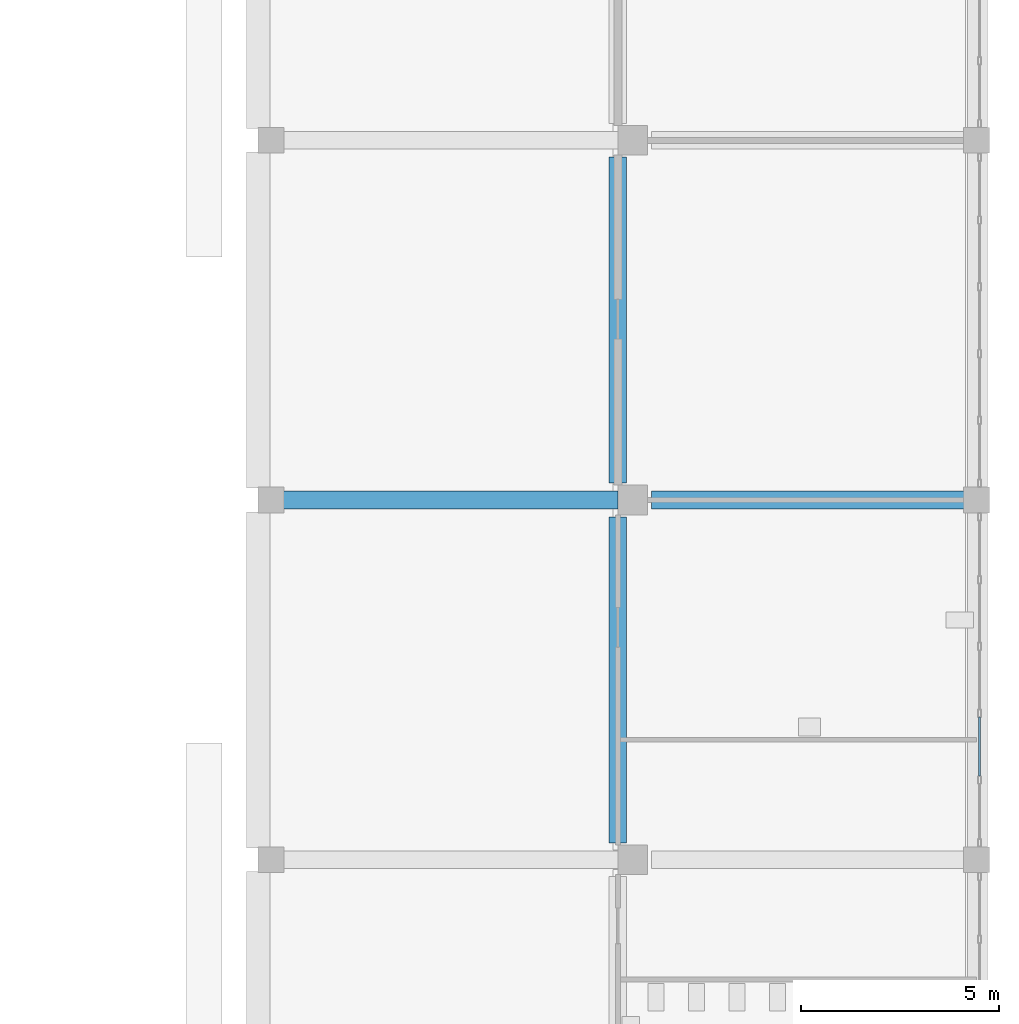
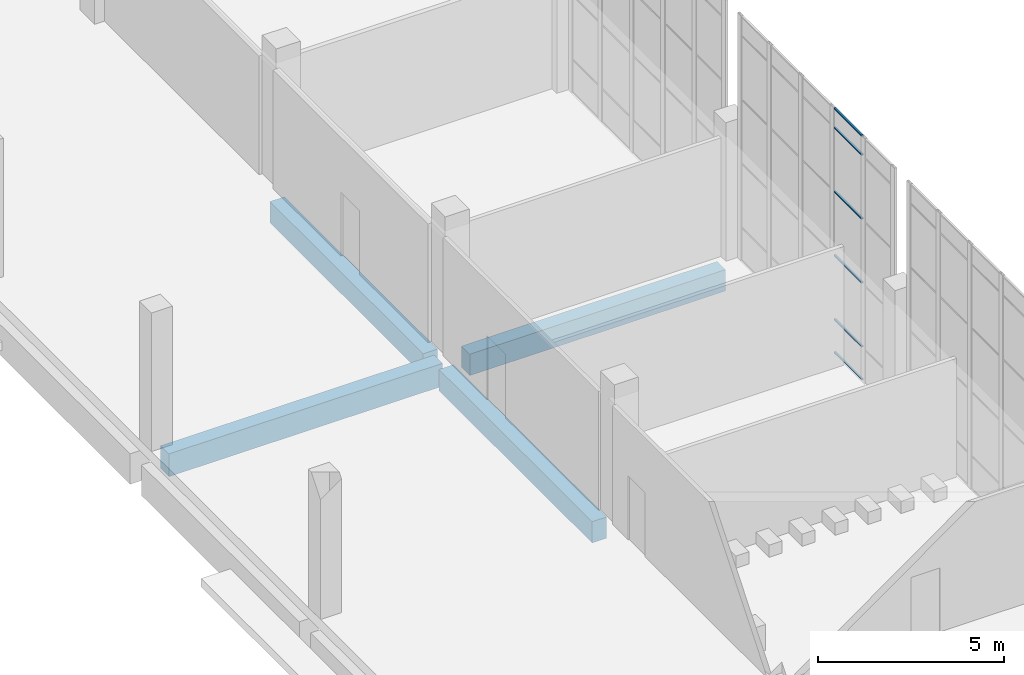
# One storey, part 53 of 126: 6 members, 4 beams, 1 element without a shape of its own.
"""IFC4 building model written with IfcOpenShell, lengths in metres."""

from ifc_helpers import new_model, si_unit, direction, frame, origin, origin_2d, place, context, subcontext, project, spatial, rectangle, hollow_rectangle, extrude, material, layer, layer_set, material_profile, profile_set, type_object, element, aggregate, save


model = new_model("IFC4")

# Units and contexts
model_context = context("Model", 3, precision=1e-05, world=origin(), true_north=direction((0.0, 1.0)))
body_context = subcontext(model_context, "Body", "Model", "MODEL_VIEW")
ifc_project = project(units=[si_unit("LENGTHUNIT", "METRE"), si_unit("AREAUNIT", "SQUARE_METRE"), si_unit("VOLUMEUNIT", "CUBIC_METRE"), si_unit("PLANEANGLEUNIT", "RADIAN"), si_unit("MASSUNIT", "GRAM", prefix="KILO")], contexts=[model_context])

# Site, building, storey
site_placement = place(None, origin())
site = spatial("IfcSite", under=ifc_project, at=site_placement, CompositionType="ELEMENT")
building_placement = place(site_placement, origin())
building = spatial("IfcBuilding", under=site, at=building_placement, Name="Shirokan Park Arena", CompositionType="ELEMENT")
storey_placement = place(building_placement, frame((0.0, 0.0, 6.3701171875)))
storey = spatial("IfcBuildingStorey", under=building, at=storey_placement, Name="L01", CompositionType="ELEMENT", Elevation=6.3701171875)

# Beams
ifc_material_1 = material(Name="Concrete C35", Category="concrete")
ifc_material_profile_1 = material_profile(ifc_material_1, rectangle(XDim=0.449951171875, YDim=0.699951171875, at=origin_2d()), Name="450x700")
ifc_profile_set_1 = profile_set([ifc_material_profile_1], Name="Concrete C35")
beam_type_1 = type_object("IfcBeamType", Name="RC girder 450x700", PredefinedType="BEAM", material=ifc_profile_set_1)
beam_1_placement = place(storey_placement, frame((137.35009765625, 54.60009765625, -0.7001953125), z_axis=(1.0, 0.0, 0.0), x_axis=(0.0, 1.0, 0.0)))
element("IfcBeam", 1, at=beam_1_placement, inside=storey, type_object=beam_type_1, Name="Girder 16G-17G L01", PredefinedType="BEAM", context=body_context, shape_type="SweptSolid", body=[
    extrude(rectangle(XDim=0.449951171875, YDim=0.699951171875, at=origin_2d()), origin(), (0.0, 0.0, 1.0), 7.94970703125),
])
for number, where, z_axis, x_axis, name in (
    (2, (136.5, 45.925048828125, -0.7001953125), (0.0, 1.0, 0.0), (-1.0, 0.0, 0.0), "Girder 16F-16G L01"),
    (3, (136.5, 55.025146484375, -0.7001953125), (0.0, 1.0, 0.0), (-1.0, 0.0, 0.0), "Girder 16G-16H L01"),
):
    element("IfcBeam", number, at=place(storey_placement, frame(where, z_axis=z_axis, x_axis=x_axis)), inside=storey, type_object=beam_type_1, Name=name, PredefinedType="BEAM", context=body_context, shape_type="SweptSolid", body=[
        extrude(rectangle(XDim=0.449951171875, YDim=0.699951171875, at=origin_2d()), origin(), (0.0, 0.0, 1.0), 8.249755859375),
    ])
ifc_material_profile_2 = material_profile(ifc_material_1, rectangle(XDim=0.449951171875, YDim=0.75, at=origin_2d()), Name="450x750")
ifc_profile_set_2 = profile_set([ifc_material_profile_2], Name="Concrete C35")
beam_type_2 = type_object("IfcBeamType", Name="RC girder 450x750", PredefinedType="BEAM", material=ifc_profile_set_2)
beam_2_placement = place(storey_placement, frame((128.0, 54.60009765625, -0.72509765625), z_axis=(1.0, 0.0, 0.0), x_axis=(0.0, 1.0, 0.0)))
element("IfcBeam", 4, at=beam_2_placement, inside=storey, type_object=beam_type_2, Name="Girder 15G-16G L01", PredefinedType="BEAM", context=body_context, shape_type="SweptSolid", body=[
    extrude(rectangle(XDim=0.449951171875, YDim=0.75, at=origin_2d()), origin(), (0.0, 0.0, 1.0), 8.5),
])

# Curtain wall, members
ifc_material_2 = material(Name="Steel and glass curtain wall", Category="steel")
ifc_layer = layer(ifc_material_2, 0.199951171875)
ifc_layer_set = layer_set([ifc_layer], Name="Steel and glass curtain wall 200 mm")
curtain_wall_type = type_object("IfcCurtainWallType", Name="Curtain wall hall bay 200", PredefinedType="NOTDEFINED", material=ifc_layer_set)
curtain_wall_placement = place(storey_placement, origin())
curtain_wall = element("IfcCurtainWall", 5, at=curtain_wall_placement, inside=storey, type_object=curtain_wall_type, Name="Curtain wall east bay 6 L01", PredefinedType="NOTDEFINED")
ifc_material_3 = material(Name="Steel S355", Category="steel")
ifc_material_profile_3 = material_profile(ifc_material_3, hollow_rectangle(XDim=0.06005859375, YDim=0.0400390625, WallThickness=0.00390625, at=origin_2d()), Name="RHS 60x40x4")
ifc_profile_set_3 = profile_set([ifc_material_profile_3], Name="Steel S355")
member_type = type_object("IfcMemberType", Name="Transom RHS 60x40x4", PredefinedType="MULLION", material=ifc_profile_set_3)
member_1_placement = place(storey_placement, frame((145.64990234375, 47.614990234375, 0.019775390625), z_axis=(0.0, 1.0, 0.0), x_axis=(-1.0, 0.0, 0.0)))
member_1 = element("IfcMember", 6, at=member_1_placement, type_object=member_type, Name="CW5 transom 2.1", PredefinedType="MULLION", context=body_context, shape_type="SweptSolid", body=[
    extrude(hollow_rectangle(XDim=0.06005859375, YDim=0.0400390625, WallThickness=0.00390625, at=origin_2d()), origin(), (0.0, 0.0, 1.0), 1.489990234375),
])
member_2_placement = place(storey_placement, frame((145.64990234375, 47.614990234375, 1.099853515625), z_axis=(0.0, 1.0, 0.0), x_axis=(-1.0, 0.0, 0.0)))
member_2 = element("IfcMember", 7, at=member_2_placement, type_object=member_type, Name="CW5 transom 2.2", PredefinedType="MULLION", context=body_context, shape_type="SweptSolid", body=[
    extrude(hollow_rectangle(XDim=0.06005859375, YDim=0.0400390625, WallThickness=0.00390625, at=origin_2d()), origin(), (0.0, 0.0, 1.0), 1.489990234375),
])
member_3_placement = place(storey_placement, frame((145.64990234375, 47.614990234375, 3.199951171875), z_axis=(0.0, 1.0, 0.0), x_axis=(-1.0, 0.0, 0.0)))
member_3 = element("IfcMember", 8, at=member_3_placement, type_object=member_type, Name="CW5 transom 2.3", PredefinedType="MULLION", context=body_context, shape_type="SweptSolid", body=[
    extrude(hollow_rectangle(XDim=0.06005859375, YDim=0.0400390625, WallThickness=0.00390625, at=origin_2d()), origin(), (0.0, 0.0, 1.0), 1.489990234375),
])
member_4_placement = place(storey_placement, frame((145.64990234375, 47.614990234375, 5.2998046875), z_axis=(0.0, 1.0, 0.0), x_axis=(-1.0, 0.0, 0.0)))
member_4 = element("IfcMember", 9, at=member_4_placement, type_object=member_type, Name="CW5 transom 2.4", PredefinedType="MULLION", context=body_context, shape_type="SweptSolid", body=[
    extrude(hollow_rectangle(XDim=0.06005859375, YDim=0.0400390625, WallThickness=0.00390625, at=origin_2d()), origin(), (0.0, 0.0, 1.0), 1.489990234375),
])
member_5_placement = place(storey_placement, frame((145.64990234375, 47.614990234375, 7.39990234375), z_axis=(0.0, 1.0, 0.0), x_axis=(-1.0, 0.0, 0.0)))
member_5 = element("IfcMember", 10, at=member_5_placement, type_object=member_type, Name="CW5 transom 2.5", PredefinedType="MULLION", context=body_context, shape_type="SweptSolid", body=[
    extrude(hollow_rectangle(XDim=0.06005859375, YDim=0.0400390625, WallThickness=0.00390625, at=origin_2d()), origin(), (0.0, 0.0, 1.0), 1.489990234375),
])
member_6_placement = place(storey_placement, frame((145.64990234375, 47.614990234375, 8.02978515625), z_axis=(0.0, 1.0, 0.0), x_axis=(-1.0, 0.0, 0.0)))
member_6 = element("IfcMember", 11, at=member_6_placement, type_object=member_type, Name="CW5 transom 2.6", PredefinedType="MULLION", context=body_context, shape_type="SweptSolid", body=[
    extrude(hollow_rectangle(XDim=0.06005859375, YDim=0.0400390625, WallThickness=0.00390625, at=origin_2d()), origin(), (0.0, 0.0, 1.0), 1.489990234375),
])
aggregate(curtain_wall, [member_1, member_2, member_3, member_4, member_5, member_6])

save(model, "model.ifc")
